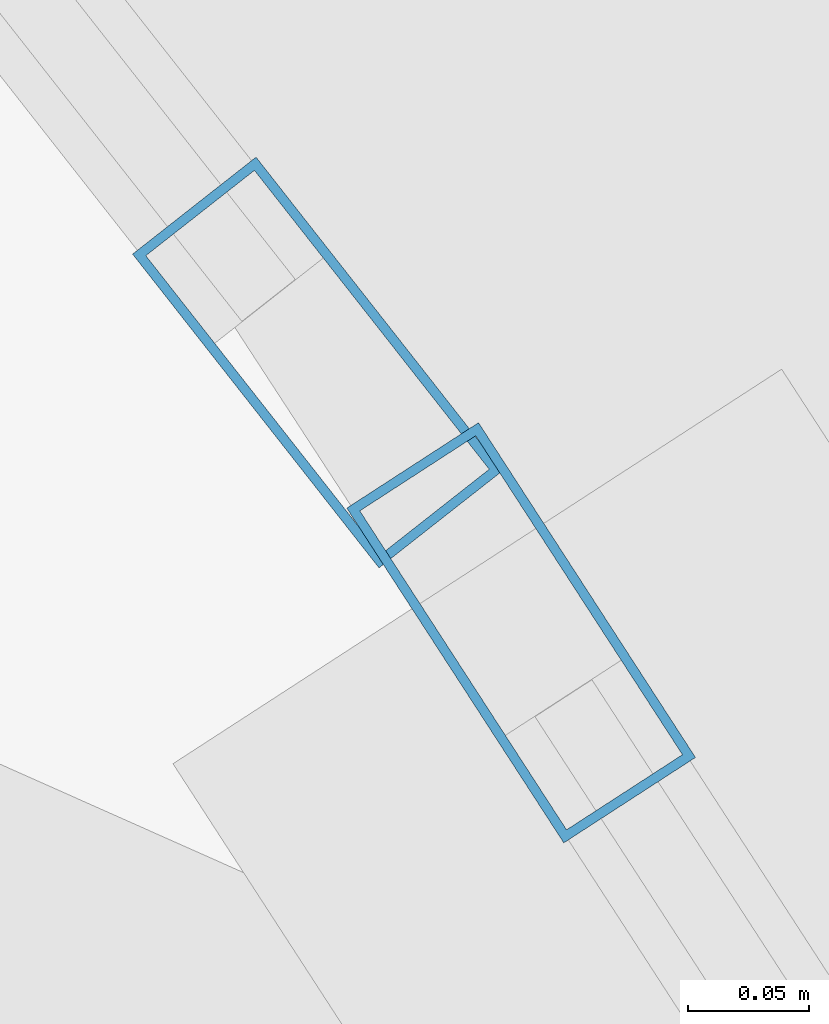
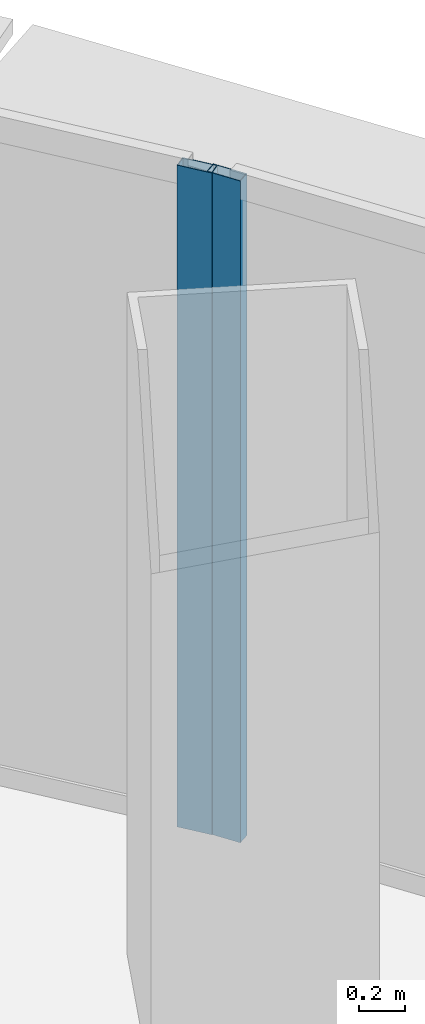
# One storey, part 20 of 41: 2 members, 2 elements without a shape of their own.
"""IFC4 building model written with IfcOpenShell, lengths in metres."""

from ifc_helpers import new_model, si_unit, direction, frame, origin, origin_2d, place, context, subcontext, project, spatial, hollow_rectangle, extrude, source, transform, mapped, material, layer, layer_set, material_profile, profile_set, type_object, element, aggregate, save


model = new_model("IFC4")

# Units and contexts
model_context = context("Model", 3, precision=1e-05, world=origin(), true_north=direction((0.0, 1.0)))
body_context = subcontext(model_context, "Body", "Model", "MODEL_VIEW")
ifc_project = project(units=[si_unit("LENGTHUNIT", "METRE"), si_unit("AREAUNIT", "SQUARE_METRE"), si_unit("VOLUMEUNIT", "CUBIC_METRE"), si_unit("PLANEANGLEUNIT", "RADIAN"), si_unit("MASSUNIT", "GRAM", prefix="KILO"), si_unit("THERMODYNAMICTEMPERATUREUNIT", "KELVIN"), si_unit("POWERUNIT", "WATT")], contexts=[model_context])

# Site, building, storey
site_placement = place(None, origin())
site = spatial("IfcSite", under=ifc_project, at=site_placement, CompositionType="ELEMENT")
building_placement = place(site_placement, origin())
building = spatial("IfcBuilding", under=site, at=building_placement, Name="Yunzhuo Pagoda Commons", CompositionType="ELEMENT")
storey_placement = place(building_placement, frame((0.0, 0.0, 115.3798828125)))
storey = spatial("IfcBuildingStorey", under=building, at=storey_placement, Name="L29", CompositionType="ELEMENT", Elevation=115.3798828125)

# Curtain wall, member
ifc_material = material(Name="Anodized aluminium 6063-T6", Category="aluminium")
ifc_layer = layer(ifc_material, 0.1650390625)
ifc_layer_set = layer_set([ifc_layer], Name="Anodized aluminium 6063-T6")
curtain_wall_type = type_object("IfcCurtainWallType", Name="CW-LOW Low-Zone Ribbon Curtain Wall", PredefinedType="NOTDEFINED", material=ifc_layer_set)
curtain_wall_1_placement = place(storey_placement, origin())
curtain_wall_1 = element("IfcCurtainWall", 1, at=curtain_wall_1_placement, inside=storey, type_object=curtain_wall_type, Name="L29 curtain wall CW-L29-F2B4", PredefinedType="NOTDEFINED")
ifc_material_profile = material_profile(ifc_material, hollow_rectangle(XDim=0.06494140625, YDim=0.1650390625, WallThickness=0.00390625, at=origin_2d()), Name="Anodized aluminium 6063-T6")
ifc_profile_set = profile_set([ifc_material_profile], Name="Anodized aluminium 6063-T6")
member_type = type_object("IfcMemberType", Name="CW-LOW-M Mullion RHS 165x65x4", PredefinedType="MULLION", material=ifc_profile_set)
shared_shape = source(origin(), body_context, "Body", "SweptSolid", [
    extrude(hollow_rectangle(XDim=0.06494140625, YDim=0.1650390625, WallThickness=0.00390625, at=origin_2d()), origin(), (0.0, 0.0, 1.0), 3.52001953125),
])
member_1_placement = place(storey_placement, frame((64.520263671875, 70.737548828125, 0.0), z_axis=(0.0, 0.0, 1.0), x_axis=(-0.839105842503, -0.543968183884, 0.0)))
member_1 = element("IfcMember", 2, at=member_1_placement, type_object=member_type, Name="CW mullion 2", PredefinedType="MULLION", context=body_context, shape_type="MappedRepresentation", body=[
    mapped(shared_shape, transform((0.0, 0.0, 0.0), scale=1.0)),
])
aggregate(curtain_wall_1, [member_1])

curtain_wall_2_placement = place(storey_placement, origin())
curtain_wall_2 = element("IfcCurtainWall", 3, at=curtain_wall_2_placement, inside=storey, type_object=curtain_wall_type, Name="L29 curtain wall CW-L29-F2B5", PredefinedType="NOTDEFINED")
member_2_placement = place(storey_placement, frame((64.43603515625, 70.849365234375, 0.0), z_axis=(0.0, 0.0, 1.0), x_axis=(-0.786392055703, -0.617727718925, 0.0)))
member_2 = element("IfcMember", 4, at=member_2_placement, type_object=member_type, Name="CW mullion 1", PredefinedType="MULLION", context=body_context, shape_type="MappedRepresentation", body=[
    mapped(shared_shape, transform((0.0, 0.0, 0.0), scale=1.0)),
])
aggregate(curtain_wall_2, [member_2])

save(model, "model.ifc")
